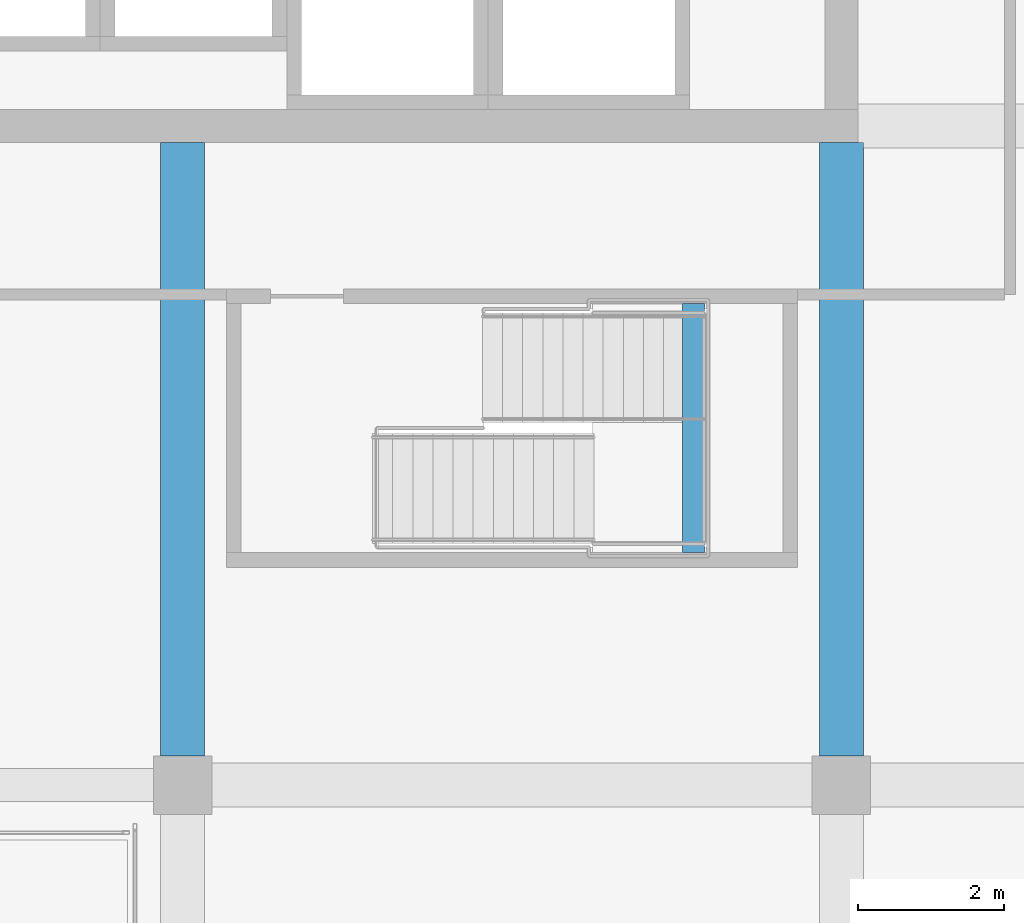
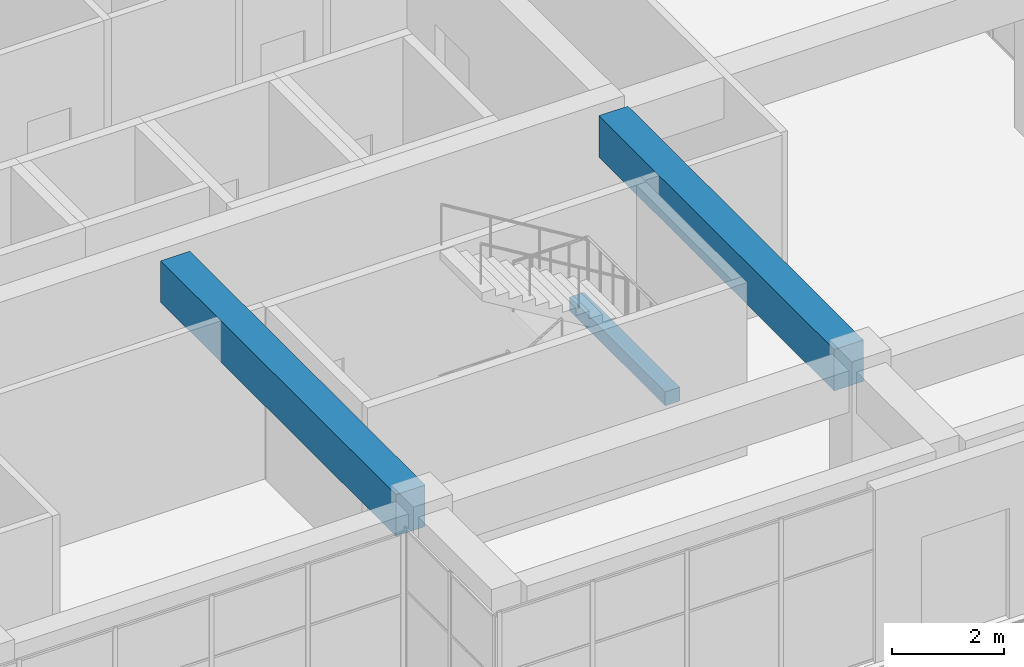
# One storey, part 40 of 81: 3 beams.
"""IFC4 building model written with IfcOpenShell, lengths in metres."""

import ifcopenshell
import ifcopenshell.guid

model = None  # the IFC model being written
_history = None  # IfcOwnerHistory: only IFC2X3 demands one
_inside = {}  # id of a spatial element -> (the spatial element, [elements in it])
_under = {}  # id of a project, library or spatial element -> (it, [spatial elements below it])
_declared = {}  # id of a project -> (the project, [libraries it declares])
_typed = {}  # id of a type object -> (the type object, [elements of that type])
_made_of = {}  # id of a material, layer set ... -> (it, [elements and type objects made of it])


def new_model(schema):
    """Start an empty IFC model of exactly this schema.

    Asked for "IFC4X3", IfcOpenShell would pick the latest addendum, in which some entities
    have other attributes; the version numbers below select the first issue.
    IFC2X3 requires an IfcOwnerHistory on every rooted entity: one is made here for all.
    """
    global model, _history
    if schema == "IFC4X3":
        model = ifcopenshell.file(schema_version=(4, 3, 0, 0))
    else:
        model = ifcopenshell.file(schema=schema)
    _inside.clear()
    _under.clear()
    _declared.clear()
    _typed.clear()
    _made_of.clear()
    _history = None
    if model.schema == "IFC2X3":
        org = make("IfcOrganization", Name="unknown")
        user = make(
            "IfcPersonAndOrganization",
            ThePerson=make("IfcPerson", FamilyName="unknown"),
            TheOrganization=org,
        )
        app = make(
            "IfcApplication",
            ApplicationDeveloper=org,
            Version="unknown",
            ApplicationFullName="unknown",
            ApplicationIdentifier="unknown",
        )
        _history = make(
            "IfcOwnerHistory",
            OwningUser=user,
            OwningApplication=app,
            ChangeAction="ADDED",
            CreationDate=0,
        )
    return model


def make(cls, **values):
    """One entity of the class cls with the attributes given. An attribute that is None is left unset."""
    return model.create_entity(
        cls, **{name: value for name, value in values.items() if value is not None}
    )


def rooted(cls, **values):
    """An entity with a GlobalId (a new one), such as an element, a storey or a relation."""
    return make(cls, GlobalId=ifcopenshell.guid.new(), OwnerHistory=_history, **values)


def si_unit(unit_type, name, prefix=None):
    """IfcSIUnit, for example si_unit("LENGTHUNIT", "METRE", prefix="MILLI")."""
    return make("IfcSIUnit", UnitType=unit_type, Prefix=prefix, Name=name)


def assignment(units):
    """IfcUnitAssignment: the units of a project."""
    return None if units is None else make("IfcUnitAssignment", Units=units)


def point(xyz):
    """IfcCartesianPoint."""
    return None if xyz is None else make("IfcCartesianPoint", Coordinates=xyz)


def direction(xyz):
    """IfcDirection."""
    return None if xyz is None else make("IfcDirection", DirectionRatios=xyz)


def frame(location, z_axis=None, x_axis=None):
    """IfcAxis2Placement3D, a coordinate frame: its origin and axes. An axis left out is left unset."""
    return make(
        "IfcAxis2Placement3D",
        Location=point(location),
        Axis=direction(z_axis),
        RefDirection=direction(x_axis),
    )


def frame_2d(location, x_axis=None):
    """IfcAxis2Placement2D, a coordinate frame in the plane: its origin and x axis."""
    return make(
        "IfcAxis2Placement2D", Location=point(location), RefDirection=direction(x_axis)
    )


def origin():
    """The frame at (0, 0, 0) with its axes left unset."""
    return frame((0.0, 0.0, 0.0))


def origin_2d():
    """The frame at (0, 0) in the plane with its x axis left unset."""
    return frame_2d((0.0, 0.0))


def place(relative_to, where):
    """IfcLocalPlacement: puts the frame where relative to a parent placement (None: the world)."""
    return make(
        "IfcLocalPlacement", PlacementRelTo=relative_to, RelativePlacement=where
    )


def context(
    kind, dimensions, precision=None, world=None, true_north=None, identifier=None
):
    """IfcGeometricRepresentationContext, for example the 3D "Model" context."""
    return make(
        "IfcGeometricRepresentationContext",
        ContextIdentifier=identifier,
        ContextType=kind,
        CoordinateSpaceDimension=dimensions,
        Precision=precision,
        WorldCoordinateSystem=world,
        TrueNorth=true_north,
    )


def subcontext(parent, identifier, kind, view, scale=None):
    """IfcGeometricRepresentationSubContext, for example "Body" below "Model"."""
    return make(
        "IfcGeometricRepresentationSubContext",
        ContextIdentifier=identifier,
        ContextType=kind,
        ParentContext=parent,
        TargetScale=scale,
        TargetView=view,
    )


def project(units=None, contexts=None):
    """IfcProject with its units and contexts."""
    return rooted(
        "IfcProject",
        Name="project",
        RepresentationContexts=contexts,
        UnitsInContext=assignment(units),
    )


def spatial(cls, under=None, at=None, **own):
    """A site, building, storey or space (cls), placed at a placement, below another one or the project."""
    s = rooted(cls, ObjectPlacement=at, **own)
    if under is not None:
        _under.setdefault(under.id(), (under, []))[1].append(s)
    return s


def profile(cls, at=None, kind="AREA", **sizes):
    """A parametric profile (cls). Its sizes go by their IFC names, for example OverallWidth=200.0."""
    return make(cls, ProfileType=kind, Position=at, **sizes)


def rectangle(**sizes):
    """IfcRectangleProfileDef."""
    return profile("IfcRectangleProfileDef", **sizes)


def extrude(swept, where, along, depth):
    """IfcExtrudedAreaSolid: the profile swept, set in the frame where, extruded along a direction by depth."""
    return make(
        "IfcExtrudedAreaSolid",
        SweptArea=swept,
        Position=where,
        ExtrudedDirection=direction(along),
        Depth=depth,
    )


def shape(context_of_items, identifier, shape_type, items):
    """IfcShapeRepresentation: the items that make up one representation, for example the "Body"."""
    return make(
        "IfcShapeRepresentation",
        ContextOfItems=context_of_items,
        RepresentationIdentifier=identifier,
        RepresentationType=shape_type,
        Items=items,
    )


def material(Name=None, Category=None):
    """IfcMaterial."""
    return make("IfcMaterial", Name=Name, Category=Category)


def material_profile(
    of_material, cross_section, Name=None, Category=None, Priority=None
):
    """IfcMaterialProfile: a cross section and its material."""
    return make(
        "IfcMaterialProfile",
        Name=Name,
        Material=of_material,
        Profile=cross_section,
        Priority=Priority,
        Category=Category,
    )


def profile_set(profiles, Name=None, composite=None):
    """IfcMaterialProfileSet."""
    return make(
        "IfcMaterialProfileSet",
        Name=Name,
        MaterialProfiles=profiles,
        CompositeProfile=composite,
    )


def made_of(thing, what):
    """Note that an element or type object is made of a material, layer set ...; save() writes the relation."""
    if what is not None:
        _made_of.setdefault(what.id(), (what, []))[1].append(thing)
    return thing


def type_object(cls, material=None, **own):
    """A type object (cls), such as IfcWallType, which elements share."""
    return made_of(rooted(cls, **own), material)


def element(
    cls,
    number,
    at=None,
    inside=None,
    cuts=None,
    type_object=None,
    material=None,
    context=None,
    identifier="Body",
    shape_type=None,
    held_by="IfcProductDefinitionShape",
    body=None,
    shapes=None,
    **own,
):
    """One element of the class cls, such as IfcWall. Its Tag is "e" and its number.

    at: its placement. inside: the storey or other place that contains it. cuts: it is an
    opening in that element (IfcRelVoidsElement). A single representation is given by context,
    identifier, shape_type and body (its items); several are given by shapes. held_by: the class
    of the entity that holds the representations. save() writes the other relations.
    """
    e = rooted(cls, Tag="e%d" % number, ObjectPlacement=at, **own)
    if body is not None:
        shapes = [shape(context, identifier, shape_type, body)]
    if shapes is not None:
        e.Representation = make(held_by, Representations=shapes)
    if inside is not None:
        _inside.setdefault(inside.id(), (inside, []))[1].append(e)
    if cuts is not None:
        rooted(
            "IfcRelVoidsElement", RelatingBuildingElement=cuts, RelatedOpeningElement=e
        )
    if type_object is not None:
        _typed.setdefault(type_object.id(), (type_object, []))[1].append(e)
    return made_of(e, material)


def aggregate(whole, parts):
    """IfcRelAggregates: a whole, such as a stair, and the parts it consists of."""
    return rooted("IfcRelAggregates", RelatingObject=whole, RelatedObjects=parts)


def save(model, path):
    """Write the relations noted so far, then the file.

    IfcRelAggregates (storeys below a building ...), IfcRelContainedInSpatialStructure (elements
    in a storey), IfcRelDefinesByType, IfcRelAssociatesMaterial and IfcRelDeclares: one each for
    every whole, place, type object, material and project.
    """
    for whole, parts in _under.values():
        aggregate(whole, parts)
    for where, things in _inside.values():
        rooted(
            "IfcRelContainedInSpatialStructure",
            RelatedElements=things,
            RelatingStructure=where,
        )
    for kind, things in _typed.values():
        rooted("IfcRelDefinesByType", RelatedObjects=things, RelatingType=kind)
    for what, things in _made_of.values():
        rooted("IfcRelAssociatesMaterial", RelatedObjects=things, RelatingMaterial=what)
    for by, libraries in _declared.values():
        rooted("IfcRelDeclares", RelatingContext=by, RelatedDefinitions=libraries)
    model.write(path)


model = new_model("IFC4")

# Units and contexts
model_context = context("Model", 3, precision=1e-05, world=origin(), true_north=direction((0.0, 1.0)))
body_context = subcontext(model_context, "Body", "Model", "MODEL_VIEW")
ifc_project = project(units=[si_unit("LENGTHUNIT", "METRE"), si_unit("AREAUNIT", "SQUARE_METRE"), si_unit("VOLUMEUNIT", "CUBIC_METRE"), si_unit("PLANEANGLEUNIT", "RADIAN"), si_unit("MASSUNIT", "GRAM", prefix="KILO")], contexts=[model_context])

# Site, building, storey
site_placement = place(None, origin())
site = spatial("IfcSite", under=ifc_project, at=site_placement, CompositionType="ELEMENT")
building_placement = place(site_placement, origin())
building = spatial("IfcBuilding", under=site, at=building_placement, Name="Tuart Plaza Theatre", CompositionType="ELEMENT")
storey_placement = place(building_placement, frame((0.0, 0.0, 17.5)))
storey = spatial("IfcBuildingStorey", under=building, at=storey_placement, Name="L04", CompositionType="ELEMENT", Elevation=17.5)

# Beams
ifc_material_1 = material(Name="Concrete N40 (40 MPa)", Category="concrete")
ifc_material_profile_1 = material_profile(ifc_material_1, rectangle(XDim=0.300048828125, YDim=0.300048828125, at=origin_2d()), Name="BEAM 300x300 Concrete N40 (40 MPa)")
ifc_profile_set_1 = profile_set([ifc_material_profile_1], Name="Concrete N40 (40 MPa)")
beam_type_1 = type_object("IfcBeamType", Name="BEAM 300x300 Concrete N40 (40 MPa)", PredefinedType="BEAM", material=ifc_profile_set_1)
beam_placement = place(storey_placement, frame((138.97998046875, 59.175048828125, 1.64990234375), z_axis=(0.0, 1.0, 0.0), x_axis=(-1.0, 0.0, 0.0)))
element("IfcBeam", 1, at=beam_placement, inside=storey, type_object=beam_type_1, Name="RB500", PredefinedType="BEAM", context=body_context, shape_type="SweptSolid", body=[
    extrude(rectangle(XDim=0.300048828125, YDim=0.300048828125, at=origin_2d()), origin(), (0.0, 0.0, 1.0), 3.39990234375),
])
ifc_material_2 = material(Name="Concrete N40 (40 MPa)", Category="concrete")
ifc_material_profile_2 = material_profile(ifc_material_2, rectangle(XDim=0.60009765625, YDim=0.89990234375, at=origin_2d()), Name="BEAM 600x900 Concrete N40 (40 MPa)")
ifc_profile_set_2 = profile_set([ifc_material_profile_2], Name="Concrete N40 (40 MPa)")
beam_type_2 = type_object("IfcBeamType", Name="BEAM 600x900 Concrete N40 (40 MPa)", PredefinedType="BEAM", material=ifc_profile_set_2)
for number, where, z_axis, x_axis, name in (
    (2, (132.0, 56.39990234375, 3.300048828125), (0.0, 1.0, 0.0), (-1.0, 0.0, 0.0), "RB222"),
    (3, (141.0, 56.39990234375, 3.300048828125), (0.0, 1.0, 0.0), (-1.0, 0.0, 0.0), "RB230"),
):
    element("IfcBeam", number, at=place(storey_placement, frame(where, z_axis=z_axis, x_axis=x_axis)), inside=storey, type_object=beam_type_2, Name=name, PredefinedType="BEAM", context=body_context, shape_type="SweptSolid", body=[
        extrude(rectangle(XDim=0.60009765625, YDim=0.89990234375, at=origin_2d()), origin(), (0.0, 0.0, 1.0), 8.375),
    ])

save(model, "model.ifc")
